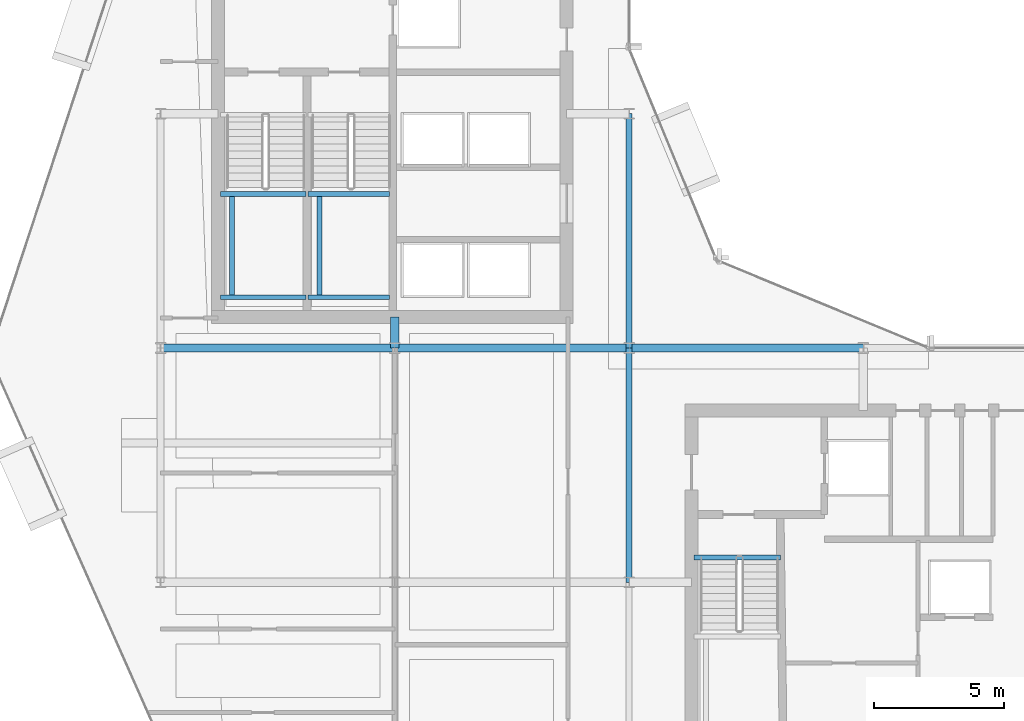
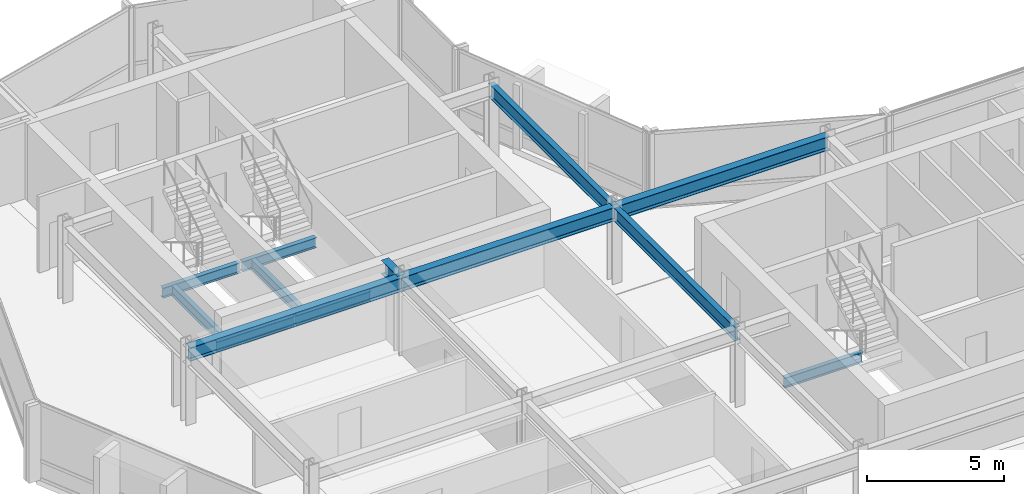
# One storey, part 7 of 27: 13 beams.
"""IFC4 building model written with IfcOpenShell, lengths in metres."""

from ifc_helpers import new_model, si_unit, direction, frame, origin, origin_2d, place, context, subcontext, project, spatial, i_section, extrude, material, material_profile, profile_set, type_object, element, save


model = new_model("IFC4")

# Units and contexts
model_context = context("Model", 3, precision=1e-05, world=origin(), true_north=direction((0.0, 1.0)))
body_context = subcontext(model_context, "Body", "Model", "MODEL_VIEW")
ifc_project = project(units=[si_unit("LENGTHUNIT", "METRE"), si_unit("AREAUNIT", "SQUARE_METRE"), si_unit("VOLUMEUNIT", "CUBIC_METRE"), si_unit("PLANEANGLEUNIT", "RADIAN"), si_unit("MASSUNIT", "GRAM", prefix="KILO")], contexts=[model_context])

# Site, building, storey
site_placement = place(None, origin())
site = spatial("IfcSite", under=ifc_project, at=site_placement, CompositionType="ELEMENT")
building_placement = place(site_placement, origin())
building = spatial("IfcBuilding", under=site, at=building_placement, Name="Solvaryn Broadcast Tower", CompositionType="ELEMENT")
storey_placement = place(building_placement, frame((0.0, 0.0, 177.89990234375)))
storey = spatial("IfcBuildingStorey", under=building, at=storey_placement, Name="L44", CompositionType="ELEMENT", Elevation=177.89990234375)

# Beams
ifc_material_1 = material(Name="Steel ASTM A992 Grade 50", Category="steel")
ifc_material_profile_1 = material_profile(ifc_material_1, i_section(OverallWidth=0.323974609375, OverallDepth=0.611083984375, WebThickness=0.0126953125, FlangeThickness=0.01904296875, FilletRadius=0.014892578125, at=origin_2d()))
ifc_profile_set_1 = profile_set([ifc_material_profile_1], Name="Steel ASTM A992 Grade 50")
beam_type_1 = type_object("IfcBeamType", Name="BM-B1-W24X104", PredefinedType="BEAM", material=ifc_profile_set_1)
for number, where, z_axis, x_axis, name in (
    (1, (9.0, 27.0, 3.114501953125), (1.0, 0.0, 0.0), (0.0, 1.0, 0.0), "L44 Primary Beam X (9-18 @ Y=27)"),
    (2, (18.0, 27.0, 3.114501953125), (1.0, 0.0, 0.0), (0.0, 1.0, 0.0), "L44 Primary Beam X (18-27 @ Y=27)"),
    (3, (27.0, 27.0, 3.114501953125), (1.0, 0.0, 0.0), (0.0, 1.0, 0.0), "L44 Primary Beam X (27-36 @ Y=27)"),
):
    element("IfcBeam", number, at=place(storey_placement, frame(where, z_axis=z_axis, x_axis=x_axis)), inside=storey, type_object=beam_type_1, Name=name, PredefinedType="BEAM", context=body_context, shape_type="SweptSolid", body=[
        extrude(i_section(OverallWidth=0.323974609375, OverallDepth=0.611083984375, WebThickness=0.0126953125, FlangeThickness=0.01904296875, FilletRadius=0.014892578125, at=origin_2d()), origin(), (0.0, 0.0, 1.0), 9.0),
    ])
beam_1_placement = place(storey_placement, frame((18.0, 27.0, 3.114501953125), z_axis=(0.0, 1.0, 0.0), x_axis=(-1.0, 0.0, 0.0)))
element("IfcBeam", 4, at=beam_1_placement, inside=storey, type_object=beam_type_1, Name="L44 Core Tie Beam CTW4", PredefinedType="BEAM", context=body_context, shape_type="SweptSolid", body=[
    extrude(i_section(OverallWidth=0.323974609375, OverallDepth=0.611083984375, WebThickness=0.0126953125, FlangeThickness=0.01904296875, FilletRadius=0.014892578125, at=origin_2d()), origin(), (0.0, 0.0, 1.0), 1.199951171875),
])
ifc_material_2 = material(Name="Steel ASTM A992 Grade 50", Category="steel")
ifc_material_profile_2 = material_profile(ifc_material_2, i_section(OverallWidth=0.22802734375, OverallDepth=0.60791015625, WebThickness=0.01123046875, FlangeThickness=0.017333984375, FilletRadius=0.014892578125, at=origin_2d()))
ifc_profile_set_2 = profile_set([ifc_material_profile_2], Name="Steel ASTM A992 Grade 50")
beam_type_2 = type_object("IfcBeamType", Name="BM-B2-W24X76", PredefinedType="BEAM", material=ifc_profile_set_2)
for number, where, z_axis, x_axis, name in (
    (5, (27.0, 18.0, 3.1162109375), (0.0, 1.0, 0.0), (-1.0, 0.0, 0.0), "L44 Primary Beam Y (18-27 @ X=27)"),
    (6, (27.0, 27.0, 3.1162109375), (0.0, 1.0, 0.0), (-1.0, 0.0, 0.0), "L44 Primary Beam Y (27-36 @ X=27)"),
):
    element("IfcBeam", number, at=place(storey_placement, frame(where, z_axis=z_axis, x_axis=x_axis)), inside=storey, type_object=beam_type_2, Name=name, PredefinedType="BEAM", context=body_context, shape_type="SweptSolid", body=[
        extrude(i_section(OverallWidth=0.22802734375, OverallDepth=0.60791015625, WebThickness=0.01123046875, FlangeThickness=0.017333984375, FilletRadius=0.014892578125, at=origin_2d()), origin(), (0.0, 0.0, 1.0), 9.0),
    ])
ifc_material_3 = material(Name="Steel ASTM A992 Grade 50", Category="steel")
ifc_material_profile_3 = material_profile(ifc_material_3, i_section(OverallWidth=0.18994140625, OverallDepth=0.45703125, WebThickness=0.009033203125, FlangeThickness=0.014404296875, FilletRadius=0.011962890625, at=origin_2d()))
ifc_profile_set_3 = profile_set([ifc_material_profile_3], Name="Steel ASTM A992 Grade 50")
beam_type_3 = type_object("IfcBeamType", Name="BM-B4-W18X50", PredefinedType="BEAM", material=ifc_profile_set_3)
for number, where, z_axis, x_axis, name in (
    (7, (11.300048828125, 28.949951171875, 1.421630859375), (1.0, 0.0, 0.0), (0.0, 1.0, 0.0), "L44 ST1 Landing Support Beam 1A"),
    (8, (11.300048828125, 32.909912109375, 1.421630859375), (1.0, 0.0, 0.0), (0.0, 1.0, 0.0), "L44 ST1 Landing Support Beam 1B"),
):
    element("IfcBeam", number, at=place(storey_placement, frame(where, z_axis=z_axis, x_axis=x_axis)), inside=storey, type_object=beam_type_3, Name=name, PredefinedType="BEAM", context=body_context, shape_type="SweptSolid", body=[
        extrude(i_section(OverallWidth=0.18994140625, OverallDepth=0.45703125, WebThickness=0.009033203125, FlangeThickness=0.014404296875, FilletRadius=0.011962890625, at=origin_2d()), origin(), (0.0, 0.0, 1.0), 3.280029296875),
    ])
beam_2_placement = place(storey_placement, frame((11.75, 28.949951171875, 1.421630859375), z_axis=(0.0, 1.0, 0.0), x_axis=(-1.0, 0.0, 0.0)))
element("IfcBeam", 9, at=beam_2_placement, inside=storey, type_object=beam_type_3, Name="L44 ST1 Landing Cross Stringer 1C", PredefinedType="BEAM", context=body_context, shape_type="SweptSolid", body=[
    extrude(i_section(OverallWidth=0.18994140625, OverallDepth=0.45703125, WebThickness=0.009033203125, FlangeThickness=0.014404296875, FilletRadius=0.011962890625, at=origin_2d()), origin(), (0.0, 0.0, 1.0), 3.9599609375),
])
for number, where, z_axis, x_axis, name in (
    (10, (14.659912109375, 28.949951171875, 1.421630859375), (1.0, 0.0, 0.0), (0.0, 1.0, 0.0), "L44 ST2 Landing Support Beam 1A"),
    (11, (14.659912109375, 32.909912109375, 1.421630859375), (1.0, 0.0, 0.0), (0.0, 1.0, 0.0), "L44 ST2 Landing Support Beam 1B"),
):
    element("IfcBeam", number, at=place(storey_placement, frame(where, z_axis=z_axis, x_axis=x_axis)), inside=storey, type_object=beam_type_3, Name=name, PredefinedType="BEAM", context=body_context, shape_type="SweptSolid", body=[
        extrude(i_section(OverallWidth=0.18994140625, OverallDepth=0.45703125, WebThickness=0.009033203125, FlangeThickness=0.014404296875, FilletRadius=0.011962890625, at=origin_2d()), origin(), (0.0, 0.0, 1.0), 3.14013671875),
    ])
beam_3_placement = place(storey_placement, frame((15.110107421875, 28.949951171875, 1.421630859375), z_axis=(0.0, 1.0, 0.0), x_axis=(-1.0, 0.0, 0.0)))
element("IfcBeam", 12, at=beam_3_placement, inside=storey, type_object=beam_type_3, Name="L44 ST2 Landing Cross Stringer 1C", PredefinedType="BEAM", context=body_context, shape_type="SweptSolid", body=[
    extrude(i_section(OverallWidth=0.18994140625, OverallDepth=0.45703125, WebThickness=0.009033203125, FlangeThickness=0.014404296875, FilletRadius=0.011962890625, at=origin_2d()), origin(), (0.0, 0.0, 1.0), 3.9599609375),
])
beam_4_placement = place(storey_placement, frame((29.5, 18.9599609375, -0.50830078125), z_axis=(1.0, 0.0, 0.0), x_axis=(0.0, 1.0, 0.0)))
element("IfcBeam", 13, at=beam_4_placement, inside=storey, type_object=beam_type_3, Name="L44 ST3 Stair Well Trimmer Beam", PredefinedType="BEAM", context=body_context, shape_type="SweptSolid", body=[
    extrude(i_section(OverallWidth=0.18994140625, OverallDepth=0.45703125, WebThickness=0.009033203125, FlangeThickness=0.014404296875, FilletRadius=0.011962890625, at=origin_2d()), origin(), (0.0, 0.0, 1.0), 3.320068359375),
])

save(model, "model.ifc")
